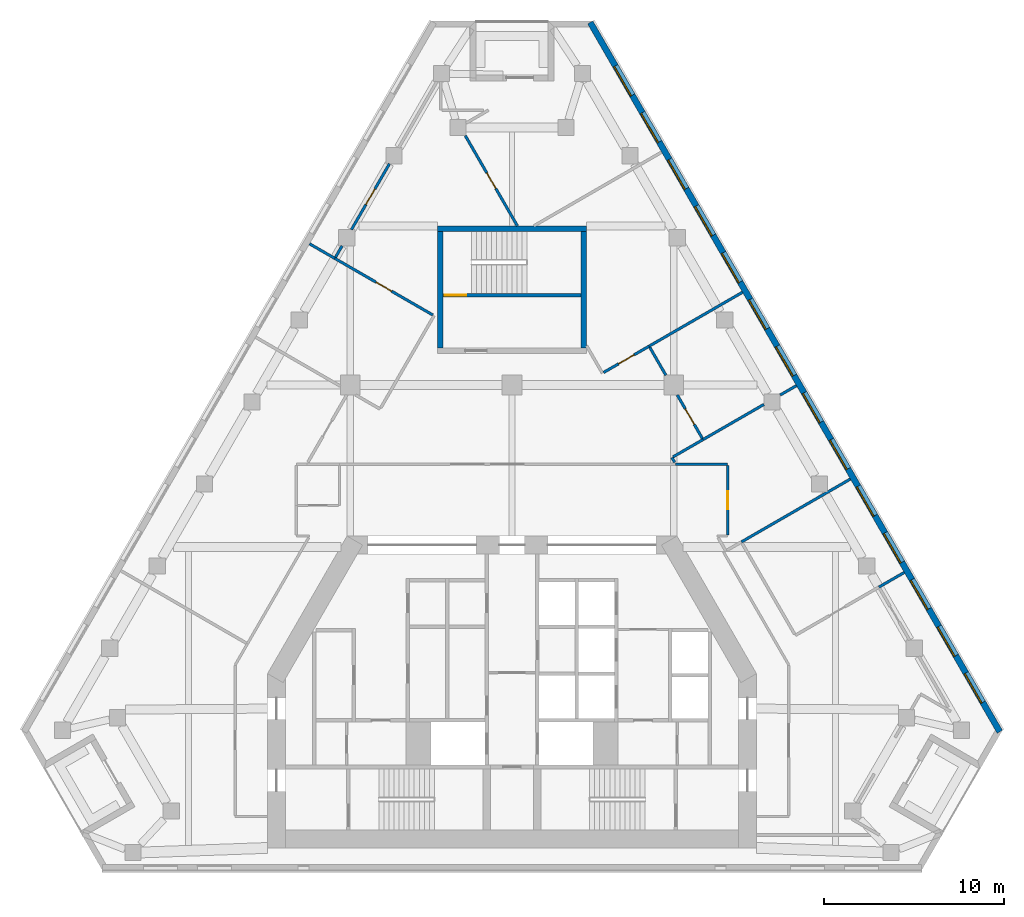
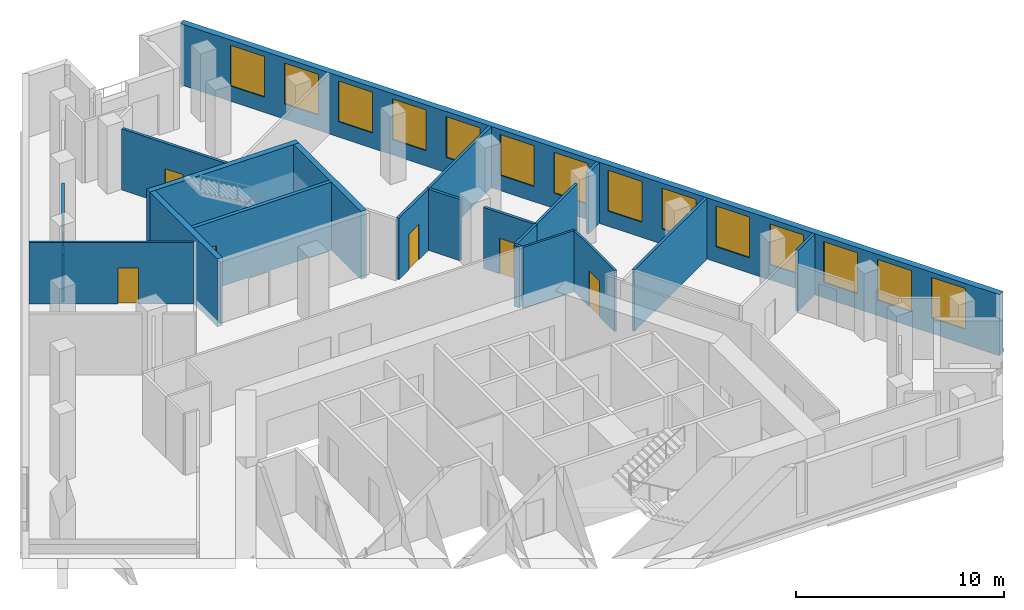
# One storey, part 7 of 9: 22 walls, 14 windows, 7 doors, 21 openings.
"""IFC4 building model written with IfcOpenShell, lengths in metres."""

import ifcopenshell
import ifcopenshell.guid

model = None  # the IFC model being written
_history = None  # IfcOwnerHistory: only IFC2X3 demands one
_inside = {}  # id of a spatial element -> (the spatial element, [elements in it])
_under = {}  # id of a project, library or spatial element -> (it, [spatial elements below it])
_declared = {}  # id of a project -> (the project, [libraries it declares])
_typed = {}  # id of a type object -> (the type object, [elements of that type])
_made_of = {}  # id of a material, layer set ... -> (it, [elements and type objects made of it])


def new_model(schema):
    """Start an empty IFC model of exactly this schema.

    Asked for "IFC4X3", IfcOpenShell would pick the latest addendum, in which some entities
    have other attributes; the version numbers below select the first issue.
    IFC2X3 requires an IfcOwnerHistory on every rooted entity: one is made here for all.
    """
    global model, _history
    if schema == "IFC4X3":
        model = ifcopenshell.file(schema_version=(4, 3, 0, 0))
    else:
        model = ifcopenshell.file(schema=schema)
    _inside.clear()
    _under.clear()
    _declared.clear()
    _typed.clear()
    _made_of.clear()
    _history = None
    if model.schema == "IFC2X3":
        org = make("IfcOrganization", Name="unknown")
        user = make(
            "IfcPersonAndOrganization",
            ThePerson=make("IfcPerson", FamilyName="unknown"),
            TheOrganization=org,
        )
        app = make(
            "IfcApplication",
            ApplicationDeveloper=org,
            Version="unknown",
            ApplicationFullName="unknown",
            ApplicationIdentifier="unknown",
        )
        _history = make(
            "IfcOwnerHistory",
            OwningUser=user,
            OwningApplication=app,
            ChangeAction="ADDED",
            CreationDate=0,
        )
    return model


def make(cls, **values):
    """One entity of the class cls with the attributes given. An attribute that is None is left unset."""
    return model.create_entity(
        cls, **{name: value for name, value in values.items() if value is not None}
    )


def rooted(cls, **values):
    """An entity with a GlobalId (a new one), such as an element, a storey or a relation."""
    return make(cls, GlobalId=ifcopenshell.guid.new(), OwnerHistory=_history, **values)


def si_unit(unit_type, name, prefix=None):
    """IfcSIUnit, for example si_unit("LENGTHUNIT", "METRE", prefix="MILLI")."""
    return make("IfcSIUnit", UnitType=unit_type, Prefix=prefix, Name=name)


def assignment(units):
    """IfcUnitAssignment: the units of a project."""
    return None if units is None else make("IfcUnitAssignment", Units=units)


def point(xyz):
    """IfcCartesianPoint."""
    return None if xyz is None else make("IfcCartesianPoint", Coordinates=xyz)


def direction(xyz):
    """IfcDirection."""
    return None if xyz is None else make("IfcDirection", DirectionRatios=xyz)


def frame(location, z_axis=None, x_axis=None):
    """IfcAxis2Placement3D, a coordinate frame: its origin and axes. An axis left out is left unset."""
    return make(
        "IfcAxis2Placement3D",
        Location=point(location),
        Axis=direction(z_axis),
        RefDirection=direction(x_axis),
    )


def frame_2d(location, x_axis=None):
    """IfcAxis2Placement2D, a coordinate frame in the plane: its origin and x axis."""
    return make(
        "IfcAxis2Placement2D", Location=point(location), RefDirection=direction(x_axis)
    )


def origin():
    """The frame at (0, 0, 0) with its axes left unset."""
    return frame((0.0, 0.0, 0.0))


def place(relative_to, where):
    """IfcLocalPlacement: puts the frame where relative to a parent placement (None: the world)."""
    return make(
        "IfcLocalPlacement", PlacementRelTo=relative_to, RelativePlacement=where
    )


def context(
    kind, dimensions, precision=None, world=None, true_north=None, identifier=None
):
    """IfcGeometricRepresentationContext, for example the 3D "Model" context."""
    return make(
        "IfcGeometricRepresentationContext",
        ContextIdentifier=identifier,
        ContextType=kind,
        CoordinateSpaceDimension=dimensions,
        Precision=precision,
        WorldCoordinateSystem=world,
        TrueNorth=true_north,
    )


def subcontext(parent, identifier, kind, view, scale=None):
    """IfcGeometricRepresentationSubContext, for example "Body" below "Model"."""
    return make(
        "IfcGeometricRepresentationSubContext",
        ContextIdentifier=identifier,
        ContextType=kind,
        ParentContext=parent,
        TargetScale=scale,
        TargetView=view,
    )


def project(units=None, contexts=None):
    """IfcProject with its units and contexts."""
    return rooted(
        "IfcProject",
        Name="project",
        RepresentationContexts=contexts,
        UnitsInContext=assignment(units),
    )


def spatial(cls, under=None, at=None, **own):
    """A site, building, storey or space (cls), placed at a placement, below another one or the project."""
    s = rooted(cls, ObjectPlacement=at, **own)
    if under is not None:
        _under.setdefault(under.id(), (under, []))[1].append(s)
    return s


def profile(cls, at=None, kind="AREA", **sizes):
    """A parametric profile (cls). Its sizes go by their IFC names, for example OverallWidth=200.0."""
    return make(cls, ProfileType=kind, Position=at, **sizes)


def rectangle(**sizes):
    """IfcRectangleProfileDef."""
    return profile("IfcRectangleProfileDef", **sizes)


def extrude(swept, where, along, depth):
    """IfcExtrudedAreaSolid: the profile swept, set in the frame where, extruded along a direction by depth."""
    return make(
        "IfcExtrudedAreaSolid",
        SweptArea=swept,
        Position=where,
        ExtrudedDirection=direction(along),
        Depth=depth,
    )


def shape(context_of_items, identifier, shape_type, items):
    """IfcShapeRepresentation: the items that make up one representation, for example the "Body"."""
    return make(
        "IfcShapeRepresentation",
        ContextOfItems=context_of_items,
        RepresentationIdentifier=identifier,
        RepresentationType=shape_type,
        Items=items,
    )


def material(Name=None, Category=None):
    """IfcMaterial."""
    return make("IfcMaterial", Name=Name, Category=Category)


def layer(
    of_material, thickness, ventilated=None, Name=None, Category=None, Priority=None
):
    """IfcMaterialLayer: one layer of a wall or slab, of a material (None: an air gap)."""
    return make(
        "IfcMaterialLayer",
        Material=of_material,
        LayerThickness=thickness,
        IsVentilated=ventilated,
        Name=Name,
        Category=Category,
        Priority=Priority,
    )


def layer_set(layers, Name=None):
    """IfcMaterialLayerSet."""
    return make("IfcMaterialLayerSet", MaterialLayers=layers, LayerSetName=Name)


def made_of(thing, what):
    """Note that an element or type object is made of a material, layer set ...; save() writes the relation."""
    if what is not None:
        _made_of.setdefault(what.id(), (what, []))[1].append(thing)
    return thing


def type_object(cls, material=None, **own):
    """A type object (cls), such as IfcWallType, which elements share."""
    return made_of(rooted(cls, **own), material)


def element(
    cls,
    number,
    at=None,
    inside=None,
    cuts=None,
    type_object=None,
    material=None,
    context=None,
    identifier="Body",
    shape_type=None,
    held_by="IfcProductDefinitionShape",
    body=None,
    shapes=None,
    **own,
):
    """One element of the class cls, such as IfcWall. Its Tag is "e" and its number.

    at: its placement. inside: the storey or other place that contains it. cuts: it is an
    opening in that element (IfcRelVoidsElement). A single representation is given by context,
    identifier, shape_type and body (its items); several are given by shapes. held_by: the class
    of the entity that holds the representations. save() writes the other relations.
    """
    e = rooted(cls, Tag="e%d" % number, ObjectPlacement=at, **own)
    if body is not None:
        shapes = [shape(context, identifier, shape_type, body)]
    if shapes is not None:
        e.Representation = make(held_by, Representations=shapes)
    if inside is not None:
        _inside.setdefault(inside.id(), (inside, []))[1].append(e)
    if cuts is not None:
        rooted(
            "IfcRelVoidsElement", RelatingBuildingElement=cuts, RelatedOpeningElement=e
        )
    if type_object is not None:
        _typed.setdefault(type_object.id(), (type_object, []))[1].append(e)
    return made_of(e, material)


def fill(opening, filler):
    """IfcRelFillsElement: the door or window that sits in an opening."""
    return rooted(
        "IfcRelFillsElement",
        RelatingOpeningElement=opening,
        RelatedBuildingElement=filler,
    )


def aggregate(whole, parts):
    """IfcRelAggregates: a whole, such as a stair, and the parts it consists of."""
    return rooted("IfcRelAggregates", RelatingObject=whole, RelatedObjects=parts)


def save(model, path):
    """Write the relations noted so far, then the file.

    IfcRelAggregates (storeys below a building ...), IfcRelContainedInSpatialStructure (elements
    in a storey), IfcRelDefinesByType, IfcRelAssociatesMaterial and IfcRelDeclares: one each for
    every whole, place, type object, material and project.
    """
    for whole, parts in _under.values():
        aggregate(whole, parts)
    for where, things in _inside.values():
        rooted(
            "IfcRelContainedInSpatialStructure",
            RelatedElements=things,
            RelatingStructure=where,
        )
    for kind, things in _typed.values():
        rooted("IfcRelDefinesByType", RelatedObjects=things, RelatingType=kind)
    for what, things in _made_of.values():
        rooted("IfcRelAssociatesMaterial", RelatedObjects=things, RelatingMaterial=what)
    for by, libraries in _declared.values():
        rooted("IfcRelDeclares", RelatingContext=by, RelatedDefinitions=libraries)
    model.write(path)


model = new_model("IFC4")

# Units and contexts
model_context = context("Model", 3, precision=1e-05, world=origin(), true_north=direction((0.0, 1.0)))
body_context = subcontext(model_context, "Body", "Model", "MODEL_VIEW")
ifc_project = project(units=[si_unit("LENGTHUNIT", "METRE"), si_unit("AREAUNIT", "SQUARE_METRE"), si_unit("VOLUMEUNIT", "CUBIC_METRE"), si_unit("PLANEANGLEUNIT", "RADIAN"), si_unit("MASSUNIT", "GRAM", prefix="KILO")], contexts=[model_context])

# Site, building, storey
site_placement = place(None, origin())
site = spatial("IfcSite", under=ifc_project, at=site_placement, CompositionType="ELEMENT")
building_placement = place(site_placement, origin())
building = spatial("IfcBuilding", under=site, at=building_placement, Name="Fogline Exchange Tower", CompositionType="ELEMENT")
storey_placement = place(building_placement, frame((0.0, 0.0, 210.10009765625)))
storey = spatial("IfcBuildingStorey", under=building, at=storey_placement, Name="L47", CompositionType="ELEMENT", Elevation=210.10009765625)

# Wall, opening, door
ifc_material_1 = material(Name="Concrete C40", Category="concrete")
ifc_layer_1 = layer(ifc_material_1, 0.199951171875)
ifc_layer_set_1 = layer_set([ifc_layer_1], Name="CW20R")
wall_type_1 = type_object("IfcWallType", Name="CW20R", PredefinedType="SOLIDWALL", material=ifc_layer_set_1)
wall_1_placement = place(storey_placement, frame((-3.85009765625, 32.007080078125, -0.400146484375), z_axis=(0.0, 0.0, 1.0), x_axis=(1.0, 0.0, 0.0)))
wall_1 = element("IfcWall", 1, at=wall_1_placement, inside=storey, type_object=wall_type_1, Name="Stair enclosure wall ST3", PredefinedType="SOLIDWALL", context=body_context, shape_type="SweptSolid", body=[
    extrude(rectangle(XDim=7.7001953125, YDim=0.199951171875, at=frame_2d((3.85009765625, 0.0))), origin(), (0.0, 0.0, 1.0), 4.0),
])
opening_1_placement = place(wall_1_placement, frame((0.10009765625, 0.0, 0.39990234375)))
opening_1 = element("IfcOpeningElement", 2, at=opening_1_placement, cuts=wall_1, Name="Opening T15-C024", PredefinedType="OPENING", context=body_context, shape_type="SweptSolid", body=[
    extrude(rectangle(XDim=1.199951171875, YDim=2.10009765625, at=frame_2d((0.60009765625, 1.050048828125))), frame((0.0, 0.10986328125, 0.0), z_axis=(0.0, -1.0, 0.0), x_axis=(1.0, 0.0, 0.0)), (0.0, 0.0, 1.0), 0.219970703125),
])
ifc_material_2 = material(Name="Steel and timber fire door", Category="steel")
door_type_1 = type_object("IfcDoorType", Name="D-ST1", OperationType="SINGLE_SWING_LEFT", PredefinedType="DOOR", material=ifc_material_2)
door_1_placement = place(opening_1_placement, origin())
door_1 = element("IfcDoor", 3, at=door_1_placement, inside=storey, type_object=door_type_1, Name="Stair door ST3", OperationType="SINGLE_SWING_LEFT", OverallHeight=2.10009765625, OverallWidth=1.199951171875, PredefinedType="DOOR", context=body_context, shape_type="SweptSolid", body=[
    extrude(rectangle(XDim=1.199951171875, YDim=2.10009765625, at=frame_2d((0.60009765625, 1.050048828125))), frame((0.0, 0.02490234375, 0.0), z_axis=(0.0, -1.0, 0.0), x_axis=(1.0, 0.0, 0.0)), (0.0, 0.0, 1.0), 0.050048828125),
])
fill(opening_1, door_1)

# Walls
ifc_layer_2 = layer(ifc_material_1, 0.300048828125)
ifc_layer_set_2 = layer_set([ifc_layer_2], Name="CW30")
wall_type_2 = type_object("IfcWallType", Name="CW30", PredefinedType="SOLIDWALL", material=ifc_layer_set_2)
wall_2_placement = place(storey_placement, frame((-4.14990234375, 35.70703125, -0.400146484375), z_axis=(0.0, 0.0, 1.0), x_axis=(1.0, 0.0, 0.0)))
element("IfcWall", 4, at=wall_2_placement, inside=storey, type_object=wall_type_2, Name="Stair enclosure wall ST3", PredefinedType="SOLIDWALL", context=body_context, shape_type="SweptSolid", body=[
    extrude(rectangle(XDim=8.2998046875, YDim=0.300048828125, at=frame_2d((4.14990234375, 0.0))), origin(), (0.0, 0.0, 1.0), 4.0),
])
for number, where, z_axis, x_axis, name in (
    (5, (-4.0, 29.056884765625, -0.400146484375), (0.0, 0.0, 1.0), (0.0, 1.0, 0.0), "Stair enclosure wall ST3"),
    (6, (4.0, 29.056884765625, -0.400146484375), (0.0, 0.0, 1.0), (0.0, 1.0, 0.0), "Stair enclosure wall ST3"),
):
    element("IfcWall", number, at=place(storey_placement, frame(where, z_axis=z_axis, x_axis=x_axis)), inside=storey, type_object=wall_type_2, Name=name, PredefinedType="SOLIDWALL", context=body_context, shape_type="SweptSolid", body=[
        extrude(rectangle(XDim=6.5, YDim=0.300048828125, at=frame_2d((3.25, 0.0))), origin(), (0.0, 0.0, 1.0), 4.0),
    ])

# Wall, openings, windows
ifc_material_3 = material(Name="Brick masonry", Category="masonry")
ifc_layer_3 = layer(ifc_material_3, 0.340087890625)
ifc_layer_set_3 = layer_set([ifc_layer_3], Name="FW1")
wall_type_3 = type_object("IfcWallType", Name="FW1", PredefinedType="SOLIDWALL", material=ifc_layer_set_3)
wall_3_placement = place(storey_placement, frame((27.139404296875, 7.709228515625, 0.0), z_axis=(0.0, 0.0, 1.0), x_axis=(-0.500000533701, 0.866025095652, 0.0)))
wall_3 = element("IfcWall", 7, at=wall_3_placement, inside=storey, type_object=wall_type_3, Name="Brick wall L47 E", PredefinedType="SOLIDWALL", context=body_context, shape_type="SweptSolid", body=[
    extrude(rectangle(XDim=45.5732421875, YDim=0.340087890625, at=frame_2d((22.78662109375, 0.0))), origin(), (0.0, 0.0, 1.0), 3.599853515625),
])
opening_2_placement = place(wall_3_placement, frame((1.893310546875, 0.0, 0.89990234375)))
opening_2 = element("IfcOpeningElement", 8, at=opening_2_placement, cuts=wall_3, Name="Opening W1", PredefinedType="OPENING", context=body_context, shape_type="SweptSolid", body=[
    extrude(rectangle(XDim=1.885009765625, YDim=2.39990234375, at=frame_2d((0.9423828125, 1.199951171875))), frame((0.0, 0.18017578125, 0.0), z_axis=(0.0, -1.0, 0.0), x_axis=(1.0, 0.0, 0.0)), (0.0, 0.0, 1.0), 0.360107421875),
])
opening_3_placement = place(wall_3_placement, frame((4.893310546875, 0.0, 0.89990234375)))
opening_3 = element("IfcOpeningElement", 9, at=opening_3_placement, cuts=wall_3, Name="Opening W1", PredefinedType="OPENING", context=body_context, shape_type="SweptSolid", body=[
    extrude(rectangle(XDim=1.885009765625, YDim=2.39990234375, at=frame_2d((0.9423828125, 1.199951171875))), frame((0.0, 0.18017578125, 0.0), z_axis=(0.0, -1.0, 0.0), x_axis=(1.0, 0.0, 0.0)), (0.0, 0.0, 1.0), 0.360107421875),
])
opening_4_placement = place(wall_3_placement, frame((7.893310546875, 0.0, 0.89990234375)))
opening_4 = element("IfcOpeningElement", 10, at=opening_4_placement, cuts=wall_3, Name="Opening W1", PredefinedType="OPENING", context=body_context, shape_type="SweptSolid", body=[
    extrude(rectangle(XDim=1.885009765625, YDim=2.39990234375, at=frame_2d((0.9423828125, 1.199951171875))), frame((0.0, 0.18017578125, 0.0), z_axis=(0.0, -1.0, 0.0), x_axis=(1.0, 0.0, 0.0)), (0.0, 0.0, 1.0), 0.360107421875),
])
opening_5_placement = place(wall_3_placement, frame((10.893310546875, 0.0, 0.89990234375)))
opening_5 = element("IfcOpeningElement", 11, at=opening_5_placement, cuts=wall_3, Name="Opening W1", PredefinedType="OPENING", context=body_context, shape_type="SweptSolid", body=[
    extrude(rectangle(XDim=1.885009765625, YDim=2.39990234375, at=frame_2d((0.9423828125, 1.199951171875))), frame((0.0, 0.18017578125, 0.0), z_axis=(0.0, -1.0, 0.0), x_axis=(1.0, 0.0, 0.0)), (0.0, 0.0, 1.0), 0.360107421875),
])
opening_6_placement = place(wall_3_placement, frame((13.893310546875, 0.0, 0.89990234375)))
opening_6 = element("IfcOpeningElement", 12, at=opening_6_placement, cuts=wall_3, Name="Opening W1", PredefinedType="OPENING", context=body_context, shape_type="SweptSolid", body=[
    extrude(rectangle(XDim=1.885009765625, YDim=2.39990234375, at=frame_2d((0.9423828125, 1.199951171875))), frame((0.0, 0.18017578125, 0.0), z_axis=(0.0, -1.0, 0.0), x_axis=(1.0, 0.0, 0.0)), (0.0, 0.0, 1.0), 0.360107421875),
])
opening_7_placement = place(wall_3_placement, frame((16.893310546875, 0.0, 0.89990234375)))
opening_7 = element("IfcOpeningElement", 13, at=opening_7_placement, cuts=wall_3, Name="Opening W1", PredefinedType="OPENING", context=body_context, shape_type="SweptSolid", body=[
    extrude(rectangle(XDim=1.885009765625, YDim=2.39990234375, at=frame_2d((0.9423828125, 1.199951171875))), frame((0.0, 0.18017578125, 0.0), z_axis=(0.0, -1.0, 0.0), x_axis=(1.0, 0.0, 0.0)), (0.0, 0.0, 1.0), 0.360107421875),
])
opening_8_placement = place(wall_3_placement, frame((19.893310546875, 0.0, 0.89990234375)))
opening_8 = element("IfcOpeningElement", 14, at=opening_8_placement, cuts=wall_3, Name="Opening W1", PredefinedType="OPENING", context=body_context, shape_type="SweptSolid", body=[
    extrude(rectangle(XDim=1.885009765625, YDim=2.39990234375, at=frame_2d((0.9423828125, 1.199951171875))), frame((0.0, 0.18017578125, 0.0), z_axis=(0.0, -1.0, 0.0), x_axis=(1.0, 0.0, 0.0)), (0.0, 0.0, 1.0), 0.360107421875),
])
opening_9_placement = place(wall_3_placement, frame((22.893310546875, 0.0, 0.89990234375)))
opening_9 = element("IfcOpeningElement", 15, at=opening_9_placement, cuts=wall_3, Name="Opening W1", PredefinedType="OPENING", context=body_context, shape_type="SweptSolid", body=[
    extrude(rectangle(XDim=1.885009765625, YDim=2.39990234375, at=frame_2d((0.9423828125, 1.199951171875))), frame((0.0, 0.18017578125, 0.0), z_axis=(0.0, -1.0, 0.0), x_axis=(1.0, 0.0, 0.0)), (0.0, 0.0, 1.0), 0.360107421875),
])
opening_10_placement = place(wall_3_placement, frame((25.893310546875, 0.0, 0.89990234375)))
opening_10 = element("IfcOpeningElement", 16, at=opening_10_placement, cuts=wall_3, Name="Opening W1", PredefinedType="OPENING", context=body_context, shape_type="SweptSolid", body=[
    extrude(rectangle(XDim=1.885009765625, YDim=2.39990234375, at=frame_2d((0.9423828125, 1.199951171875))), frame((0.0, 0.18017578125, 0.0), z_axis=(0.0, -1.0, 0.0), x_axis=(1.0, 0.0, 0.0)), (0.0, 0.0, 1.0), 0.360107421875),
])
opening_11_placement = place(wall_3_placement, frame((28.893310546875, 0.0, 0.89990234375)))
opening_11 = element("IfcOpeningElement", 17, at=opening_11_placement, cuts=wall_3, Name="Opening W1", PredefinedType="OPENING", context=body_context, shape_type="SweptSolid", body=[
    extrude(rectangle(XDim=1.885009765625, YDim=2.39990234375, at=frame_2d((0.9423828125, 1.199951171875))), frame((0.0, 0.18017578125, 0.0), z_axis=(0.0, -1.0, 0.0), x_axis=(1.0, 0.0, 0.0)), (0.0, 0.0, 1.0), 0.360107421875),
])
opening_12_placement = place(wall_3_placement, frame((31.893310546875, 0.0, 0.89990234375)))
opening_12 = element("IfcOpeningElement", 18, at=opening_12_placement, cuts=wall_3, Name="Opening W1", PredefinedType="OPENING", context=body_context, shape_type="SweptSolid", body=[
    extrude(rectangle(XDim=1.885009765625, YDim=2.39990234375, at=frame_2d((0.9423828125, 1.199951171875))), frame((0.0, 0.18017578125, 0.0), z_axis=(0.0, -1.0, 0.0), x_axis=(1.0, 0.0, 0.0)), (0.0, 0.0, 1.0), 0.360107421875),
])
opening_13_placement = place(wall_3_placement, frame((34.893310546875, 0.0, 0.89990234375)))
opening_13 = element("IfcOpeningElement", 19, at=opening_13_placement, cuts=wall_3, Name="Opening W1", PredefinedType="OPENING", context=body_context, shape_type="SweptSolid", body=[
    extrude(rectangle(XDim=1.885009765625, YDim=2.39990234375, at=frame_2d((0.9423828125, 1.199951171875))), frame((0.0, 0.18017578125, 0.0), z_axis=(0.0, -1.0, 0.0), x_axis=(1.0, 0.0, 0.0)), (0.0, 0.0, 1.0), 0.360107421875),
])
opening_14_placement = place(wall_3_placement, frame((37.893310546875, 0.0, 0.89990234375)))
opening_14 = element("IfcOpeningElement", 20, at=opening_14_placement, cuts=wall_3, Name="Opening W1", PredefinedType="OPENING", context=body_context, shape_type="SweptSolid", body=[
    extrude(rectangle(XDim=1.885009765625, YDim=2.39990234375, at=frame_2d((0.9423828125, 1.199951171875))), frame((0.0, 0.18017578125, 0.0), z_axis=(0.0, -1.0, 0.0), x_axis=(1.0, 0.0, 0.0)), (0.0, 0.0, 1.0), 0.360107421875),
])
opening_15_placement = place(wall_3_placement, frame((40.893310546875, 0.0, 0.89990234375)))
opening_15 = element("IfcOpeningElement", 21, at=opening_15_placement, cuts=wall_3, Name="Opening W1", PredefinedType="OPENING", context=body_context, shape_type="SweptSolid", body=[
    extrude(rectangle(XDim=1.885009765625, YDim=2.39990234375, at=frame_2d((0.9423828125, 1.199951171875))), frame((0.0, 0.18017578125, 0.0), z_axis=(0.0, -1.0, 0.0), x_axis=(1.0, 0.0, 0.0)), (0.0, 0.0, 1.0), 0.360107421875),
])
ifc_material_4 = material(Name="Aluminium and glass", Category="aluminium")
window_type = type_object("IfcWindowType", Name="W1", PartitioningType="SINGLE_PANEL", PredefinedType="WINDOW", material=ifc_material_4)
window_1_placement = place(opening_2_placement, origin())
window_1 = element("IfcWindow", 22, at=window_1_placement, inside=storey, type_object=window_type, Name="W1 W1", OverallHeight=2.39990234375, OverallWidth=1.885009765625, PartitioningType="SINGLE_PANEL", PredefinedType="WINDOW", context=body_context, shape_type="SweptSolid", body=[
    extrude(rectangle(XDim=1.885009765625, YDim=2.39990234375, at=frame_2d((0.9423828125, 1.199951171875))), frame((0.0, 0.110107421875, 0.0), z_axis=(0.0, -1.0, 0.0), x_axis=(1.0, 0.0, 0.0)), (0.0, 0.0, 1.0), 0.06005859375),
])
fill(opening_2, window_1)
window_2_placement = place(opening_3_placement, origin())
window_2 = element("IfcWindow", 23, at=window_2_placement, inside=storey, type_object=window_type, Name="W1 W1", OverallHeight=2.39990234375, OverallWidth=1.885009765625, PartitioningType="SINGLE_PANEL", PredefinedType="WINDOW", context=body_context, shape_type="SweptSolid", body=[
    extrude(rectangle(XDim=1.885009765625, YDim=2.39990234375, at=frame_2d((0.9423828125, 1.199951171875))), frame((0.0, 0.110107421875, 0.0), z_axis=(0.0, -1.0, 0.0), x_axis=(1.0, 0.0, 0.0)), (0.0, 0.0, 1.0), 0.06005859375),
])
fill(opening_3, window_2)
window_3_placement = place(opening_4_placement, origin())
window_3 = element("IfcWindow", 24, at=window_3_placement, inside=storey, type_object=window_type, Name="W1 W1", OverallHeight=2.39990234375, OverallWidth=1.885009765625, PartitioningType="SINGLE_PANEL", PredefinedType="WINDOW", context=body_context, shape_type="SweptSolid", body=[
    extrude(rectangle(XDim=1.885009765625, YDim=2.39990234375, at=frame_2d((0.9423828125, 1.199951171875))), frame((0.0, 0.110107421875, 0.0), z_axis=(0.0, -1.0, 0.0), x_axis=(1.0, 0.0, 0.0)), (0.0, 0.0, 1.0), 0.06005859375),
])
fill(opening_4, window_3)
window_4_placement = place(opening_5_placement, origin())
window_4 = element("IfcWindow", 25, at=window_4_placement, inside=storey, type_object=window_type, Name="W1 W1", OverallHeight=2.39990234375, OverallWidth=1.885009765625, PartitioningType="SINGLE_PANEL", PredefinedType="WINDOW", context=body_context, shape_type="SweptSolid", body=[
    extrude(rectangle(XDim=1.885009765625, YDim=2.39990234375, at=frame_2d((0.9423828125, 1.199951171875))), frame((0.0, 0.110107421875, 0.0), z_axis=(0.0, -1.0, 0.0), x_axis=(1.0, 0.0, 0.0)), (0.0, 0.0, 1.0), 0.06005859375),
])
fill(opening_5, window_4)
window_5_placement = place(opening_6_placement, origin())
window_5 = element("IfcWindow", 26, at=window_5_placement, inside=storey, type_object=window_type, Name="W1 W1", OverallHeight=2.39990234375, OverallWidth=1.885009765625, PartitioningType="SINGLE_PANEL", PredefinedType="WINDOW", context=body_context, shape_type="SweptSolid", body=[
    extrude(rectangle(XDim=1.885009765625, YDim=2.39990234375, at=frame_2d((0.9423828125, 1.199951171875))), frame((0.0, 0.110107421875, 0.0), z_axis=(0.0, -1.0, 0.0), x_axis=(1.0, 0.0, 0.0)), (0.0, 0.0, 1.0), 0.06005859375),
])
fill(opening_6, window_5)
window_6_placement = place(opening_7_placement, origin())
window_6 = element("IfcWindow", 27, at=window_6_placement, inside=storey, type_object=window_type, Name="W1 W1", OverallHeight=2.39990234375, OverallWidth=1.885009765625, PartitioningType="SINGLE_PANEL", PredefinedType="WINDOW", context=body_context, shape_type="SweptSolid", body=[
    extrude(rectangle(XDim=1.885009765625, YDim=2.39990234375, at=frame_2d((0.9423828125, 1.199951171875))), frame((0.0, 0.110107421875, 0.0), z_axis=(0.0, -1.0, 0.0), x_axis=(1.0, 0.0, 0.0)), (0.0, 0.0, 1.0), 0.06005859375),
])
fill(opening_7, window_6)
window_7_placement = place(opening_8_placement, origin())
window_7 = element("IfcWindow", 28, at=window_7_placement, inside=storey, type_object=window_type, Name="W1 W1", OverallHeight=2.39990234375, OverallWidth=1.885009765625, PartitioningType="SINGLE_PANEL", PredefinedType="WINDOW", context=body_context, shape_type="SweptSolid", body=[
    extrude(rectangle(XDim=1.885009765625, YDim=2.39990234375, at=frame_2d((0.9423828125, 1.199951171875))), frame((0.0, 0.110107421875, 0.0), z_axis=(0.0, -1.0, 0.0), x_axis=(1.0, 0.0, 0.0)), (0.0, 0.0, 1.0), 0.06005859375),
])
fill(opening_8, window_7)
window_8_placement = place(opening_9_placement, origin())
window_8 = element("IfcWindow", 29, at=window_8_placement, inside=storey, type_object=window_type, Name="W1 W1", OverallHeight=2.39990234375, OverallWidth=1.885009765625, PartitioningType="SINGLE_PANEL", PredefinedType="WINDOW", context=body_context, shape_type="SweptSolid", body=[
    extrude(rectangle(XDim=1.885009765625, YDim=2.39990234375, at=frame_2d((0.9423828125, 1.199951171875))), frame((0.0, 0.110107421875, 0.0), z_axis=(0.0, -1.0, 0.0), x_axis=(1.0, 0.0, 0.0)), (0.0, 0.0, 1.0), 0.06005859375),
])
fill(opening_9, window_8)
window_9_placement = place(opening_10_placement, origin())
window_9 = element("IfcWindow", 30, at=window_9_placement, inside=storey, type_object=window_type, Name="W1 W1", OverallHeight=2.39990234375, OverallWidth=1.885009765625, PartitioningType="SINGLE_PANEL", PredefinedType="WINDOW", context=body_context, shape_type="SweptSolid", body=[
    extrude(rectangle(XDim=1.885009765625, YDim=2.39990234375, at=frame_2d((0.9423828125, 1.199951171875))), frame((0.0, 0.110107421875, 0.0), z_axis=(0.0, -1.0, 0.0), x_axis=(1.0, 0.0, 0.0)), (0.0, 0.0, 1.0), 0.06005859375),
])
fill(opening_10, window_9)
window_10_placement = place(opening_11_placement, origin())
window_10 = element("IfcWindow", 31, at=window_10_placement, inside=storey, type_object=window_type, Name="W1 W1", OverallHeight=2.39990234375, OverallWidth=1.885009765625, PartitioningType="SINGLE_PANEL", PredefinedType="WINDOW", context=body_context, shape_type="SweptSolid", body=[
    extrude(rectangle(XDim=1.885009765625, YDim=2.39990234375, at=frame_2d((0.9423828125, 1.199951171875))), frame((0.0, 0.110107421875, 0.0), z_axis=(0.0, -1.0, 0.0), x_axis=(1.0, 0.0, 0.0)), (0.0, 0.0, 1.0), 0.06005859375),
])
fill(opening_11, window_10)
window_11_placement = place(opening_12_placement, origin())
window_11 = element("IfcWindow", 32, at=window_11_placement, inside=storey, type_object=window_type, Name="W1 W1", OverallHeight=2.39990234375, OverallWidth=1.885009765625, PartitioningType="SINGLE_PANEL", PredefinedType="WINDOW", context=body_context, shape_type="SweptSolid", body=[
    extrude(rectangle(XDim=1.885009765625, YDim=2.39990234375, at=frame_2d((0.9423828125, 1.199951171875))), frame((0.0, 0.110107421875, 0.0), z_axis=(0.0, -1.0, 0.0), x_axis=(1.0, 0.0, 0.0)), (0.0, 0.0, 1.0), 0.06005859375),
])
fill(opening_12, window_11)
window_12_placement = place(opening_13_placement, origin())
window_12 = element("IfcWindow", 33, at=window_12_placement, inside=storey, type_object=window_type, Name="W1 W1", OverallHeight=2.39990234375, OverallWidth=1.885009765625, PartitioningType="SINGLE_PANEL", PredefinedType="WINDOW", context=body_context, shape_type="SweptSolid", body=[
    extrude(rectangle(XDim=1.885009765625, YDim=2.39990234375, at=frame_2d((0.9423828125, 1.199951171875))), frame((0.0, 0.110107421875, 0.0), z_axis=(0.0, -1.0, 0.0), x_axis=(1.0, 0.0, 0.0)), (0.0, 0.0, 1.0), 0.06005859375),
])
fill(opening_13, window_12)
window_13_placement = place(opening_14_placement, origin())
window_13 = element("IfcWindow", 34, at=window_13_placement, inside=storey, type_object=window_type, Name="W1 W1", OverallHeight=2.39990234375, OverallWidth=1.885009765625, PartitioningType="SINGLE_PANEL", PredefinedType="WINDOW", context=body_context, shape_type="SweptSolid", body=[
    extrude(rectangle(XDim=1.885009765625, YDim=2.39990234375, at=frame_2d((0.9423828125, 1.199951171875))), frame((0.0, 0.110107421875, 0.0), z_axis=(0.0, -1.0, 0.0), x_axis=(1.0, 0.0, 0.0)), (0.0, 0.0, 1.0), 0.06005859375),
])
fill(opening_14, window_13)
window_14_placement = place(opening_15_placement, origin())
window_14 = element("IfcWindow", 35, at=window_14_placement, inside=storey, type_object=window_type, Name="W1 W1", OverallHeight=2.39990234375, OverallWidth=1.885009765625, PartitioningType="SINGLE_PANEL", PredefinedType="WINDOW", context=body_context, shape_type="SweptSolid", body=[
    extrude(rectangle(XDim=1.885009765625, YDim=2.39990234375, at=frame_2d((0.9423828125, 1.199951171875))), frame((0.0, 0.110107421875, 0.0), z_axis=(0.0, -1.0, 0.0), x_axis=(1.0, 0.0, 0.0)), (0.0, 0.0, 1.0), 0.06005859375),
])
fill(opening_15, window_14)

# Wall
ifc_material_5 = material(Name="Plasterboard corridor partition with mineral wool, 2 layers each side")
ifc_layer_4 = layer(ifc_material_5, 0.125)
ifc_layer_set_4 = layer_set([ifc_layer_4], Name="PW2")
wall_type_4 = type_object("IfcWallType", Name="PW2", PredefinedType="PARTITIONING", material=ifc_layer_set_4)
wall_4_placement = place(storey_placement, frame((9.108154296875, 22.60009765625, 0.0), z_axis=(0.0, 0.0, 1.0), x_axis=(1.0, 0.0, 0.0)))
element("IfcWall", 36, at=wall_4_placement, inside=storey, type_object=wall_type_4, Name="wall-L47-W004", PredefinedType="PARTITIONING", context=body_context, shape_type="SweptSolid", body=[
    extrude(rectangle(XDim=2.891845703125, YDim=0.125, at=frame_2d((1.44580078125, 0.0))), origin(), (0.0, 0.0, 1.0), 3.599853515625),
])

# Wall, opening, door
wall_5_placement = place(storey_placement, frame((12.0, 22.53759765625, 0.0), z_axis=(0.0, 0.0, 1.0), x_axis=(0.0, -1.0, 0.0)))
wall_5 = element("IfcWall", 37, at=wall_5_placement, inside=storey, type_object=wall_type_4, Name="wall-L47-W005", PredefinedType="PARTITIONING", context=body_context, shape_type="SweptSolid", body=[
    extrude(rectangle(XDim=3.875, YDim=0.125, at=frame_2d((1.9375, 0.0))), origin(), (0.0, 0.0, 1.0), 3.599853515625),
])
opening_16_placement = place(wall_5_placement, frame((1.4375, 0.0, 0.0)))
opening_16 = element("IfcOpeningElement", 38, at=opening_16_placement, cuts=wall_5, Name="Opening T15-D002", PredefinedType="OPENING", context=body_context, shape_type="SweptSolid", body=[
    extrude(rectangle(XDim=1.0, YDim=2.10009765625, at=frame_2d((0.5, 1.050048828125))), frame((0.0, 0.072509765625, 0.0), z_axis=(0.0, -1.0, 0.0), x_axis=(1.0, 0.0, 0.0)), (0.0, 0.0, 1.0), 0.14501953125),
])
ifc_material_6 = material(Name="Fire-rated timber door leaf with steel frame", Category="steel")
door_type_2 = type_object("IfcDoorType", Name="D3", OperationType="SINGLE_SWING_LEFT", PredefinedType="DOOR", material=ifc_material_6)
door_2_placement = place(opening_16_placement, origin())
door_2 = element("IfcDoor", 39, at=door_2_placement, inside=storey, type_object=door_type_2, Name="door-L47-D002", OperationType="SINGLE_SWING_LEFT", OverallHeight=2.10009765625, OverallWidth=1.0, PredefinedType="DOOR", context=body_context, shape_type="SweptSolid", body=[
    extrude(rectangle(XDim=1.0, YDim=2.10009765625, at=frame_2d((0.5, 1.050048828125))), frame((0.0, 0.02490234375, 0.0), z_axis=(0.0, -1.0, 0.0), x_axis=(1.0, 0.0, 0.0)), (0.0, 0.0, 1.0), 0.050048828125),
])
fill(opening_16, door_2)

# Walls
ifc_material_7 = material(Name="Plasterboard demising partition with mineral wool and acoustic board")
ifc_layer_5 = layer(ifc_material_7, 0.14990234375)
ifc_layer_set_5 = layer_set([ifc_layer_5], Name="PW3")
wall_type_5 = type_object("IfcWallType", Name="PW3", PredefinedType="PARTITIONING", material=ifc_layer_set_5)
wall_6_placement = place(storey_placement, frame((10.6279296875, 23.967529296875, 0.0), z_axis=(0.0, 0.0, 1.0), x_axis=(0.866020486807, 0.500008516358, 0.0)))
element("IfcWall", 40, at=wall_6_placement, inside=storey, type_object=wall_type_5, Name="wall-L47-W016", PredefinedType="PARTITIONING", context=body_context, shape_type="SweptSolid", body=[
    extrude(rectangle(XDim=3.91552734375, YDim=0.14990234375, at=frame_2d((1.957763671875, 0.0))), origin(), (0.0, 0.0, 1.0), 3.599853515625),
])
wall_7_placement = place(storey_placement, frame((14.918701171875, 26.44482421875, 0.0), z_axis=(0.0, 0.0, 1.0), x_axis=(0.866065051207, 0.49993132236, 0.0)))
element("IfcWall", 41, at=wall_7_placement, inside=storey, type_object=wall_type_5, Name="wall-L47-W017", PredefinedType="PARTITIONING", context=body_context, shape_type="SweptSolid", body=[
    extrude(rectangle(XDim=1.045654296875, YDim=0.14990234375, at=frame_2d((0.52294921875, 0.0))), origin(), (0.0, 0.0, 1.0), 3.599853515625),
])
wall_8_placement = place(storey_placement, frame((9.05029296875, 22.700439453125, 0.0), z_axis=(0.0, 0.0, 1.0), x_axis=(-0.500224850148, 0.865895547566, 0.0)))
element("IfcWall", 42, at=wall_8_placement, inside=storey, type_object=wall_type_5, Name="wall-L47-W018", PredefinedType="PARTITIONING", context=body_context, shape_type="SweptSolid", body=[
    extrude(rectangle(XDim=0.308349609375, YDim=0.14990234375, at=frame_2d((0.154296875, 0.0))), origin(), (0.0, 0.0, 1.0), 3.599853515625),
])
wall_9_placement = place(storey_placement, frame((8.9609375, 23.005126953125, 0.0), z_axis=(0.0, 0.0, 1.0), x_axis=(0.866033512162, 0.499985955615, 0.0)))
element("IfcWall", 43, at=wall_9_placement, inside=storey, type_object=wall_type_5, Name="wall-L47-W019", PredefinedType="PARTITIONING", context=body_context, shape_type="SweptSolid", body=[
    extrude(rectangle(XDim=1.9248046875, YDim=0.14990234375, at=frame_2d((0.96240234375, 0.0))), origin(), (0.0, 0.0, 1.0), 3.599853515625),
])
wall_10_placement = place(storey_placement, frame((18.82421875, 21.771484375, 0.0), z_axis=(0.0, 0.0, 1.0), x_axis=(-0.866028190633, -0.499995173006, 0.0)))
element("IfcWall", 44, at=wall_10_placement, inside=storey, type_object=wall_type_5, Name="wall-L47-W022", PredefinedType="PARTITIONING", context=body_context, shape_type="SweptSolid", body=[
    extrude(rectangle(XDim=7.0, YDim=0.14990234375, at=frame_2d((3.5, 0.0))), origin(), (0.0, 0.0, 1.0), 3.599853515625),
])
wall_11_placement = place(storey_placement, frame((7.6279296875, 29.163818359375, 0.0), z_axis=(0.0, 0.0, 1.0), x_axis=(0.866031096941, 0.499990139034, 0.0)))
element("IfcWall", 45, at=wall_11_placement, inside=storey, type_object=wall_type_5, Name="wall-L47-W023", PredefinedType="PARTITIONING", context=body_context, shape_type="SweptSolid", body=[
    extrude(rectangle(XDim=6.0, YDim=0.14990234375, at=frame_2d((3.0, 0.0))), origin(), (0.0, 0.0, 1.0), 3.599853515625),
])

# Wall, opening, door
wall_12_placement = place(storey_placement, frame((10.590576171875, 24.03271484375, 0.0), z_axis=(0.0, 0.0, 1.0), x_axis=(-0.500042966044, 0.866000595906, 0.0)))
wall_12 = element("IfcWall", 46, at=wall_12_placement, inside=storey, type_object=wall_type_5, Name="wall-L47-W024", PredefinedType="PARTITIONING", context=body_context, shape_type="SweptSolid", body=[
    extrude(rectangle(XDim=2.791259765625, YDim=0.14990234375, at=frame_2d((1.3955078125, 0.0))), origin(), (0.0, 0.0, 1.0), 3.599853515625),
])
opening_17_placement = place(wall_12_placement, frame((0.895751953125, 0.0, 0.0)))
opening_17 = element("IfcOpeningElement", 47, at=opening_17_placement, cuts=wall_12, Name="Opening T15-D007", PredefinedType="OPENING", context=body_context, shape_type="SweptSolid", body=[
    extrude(rectangle(XDim=1.0, YDim=2.10009765625, at=frame_2d((0.5, 1.050048828125))), frame((0.0, 0.0849609375, 0.0), z_axis=(0.0, -1.0, 0.0), x_axis=(1.0, 0.0, 0.0)), (0.0, 0.0, 1.0), 0.169921875),
])
door_3_placement = place(opening_17_placement, frame((1.0, 0.0, 0.0), z_axis=(0.0, 0.0, 1.0), x_axis=(-1.0, 0.0, 0.0)))
door_3 = element("IfcDoor", 48, at=door_3_placement, inside=storey, type_object=door_type_2, Name="door-L47-D007", OperationType="SINGLE_SWING_RIGHT", OverallHeight=2.10009765625, OverallWidth=1.0, PredefinedType="DOOR", context=body_context, shape_type="SweptSolid", body=[
    extrude(rectangle(XDim=1.0, YDim=2.10009765625, at=frame_2d((0.5, 1.050048828125))), frame((0.0, 0.02490234375, 0.0), z_axis=(0.0, -1.0, 0.0), x_axis=(1.0, 0.0, 0.0)), (0.0, 0.0, 1.0), 0.050048828125),
])
fill(opening_17, door_3)

# Wall
wall_13_placement = place(storey_placement, frame((8.559814453125, 27.550048828125, 0.0), z_axis=(0.0, 0.0, 1.0), x_axis=(-0.500088797182, 0.865974130637, 0.0)))
element("IfcWall", 49, at=wall_13_placement, inside=storey, type_object=wall_type_5, Name="wall-L47-W025", PredefinedType="PARTITIONING", context=body_context, shape_type="SweptSolid", body=[
    extrude(rectangle(XDim=1.788330078125, YDim=0.14990234375, at=frame_2d((0.89404296875, 0.0))), origin(), (0.0, 0.0, 1.0), 3.599853515625),
])

# Wall, opening, door
wall_14_placement = place(storey_placement, frame((7.6279296875, 29.163818359375, 0.0), z_axis=(0.0, 0.0, 1.0), x_axis=(-0.865989585315, -0.500062034277, 0.0)))
wall_14 = element("IfcWall", 50, at=wall_14_placement, inside=storey, type_object=wall_type_5, Name="wall-L47-W027", PredefinedType="PARTITIONING", context=body_context, shape_type="SweptSolid", body=[
    extrude(rectangle(XDim=2.925048828125, YDim=0.14990234375, at=frame_2d((1.46240234375, 0.0))), origin(), (0.0, 0.0, 1.0), 3.599853515625),
])
opening_18_placement = place(wall_14_placement, frame((0.96240234375, 0.0, 0.0)))
opening_18 = element("IfcOpeningElement", 51, at=opening_18_placement, cuts=wall_14, Name="Opening T15-D008", PredefinedType="OPENING", context=body_context, shape_type="SweptSolid", body=[
    extrude(rectangle(XDim=1.0, YDim=2.10009765625, at=frame_2d((0.5, 1.050048828125))), frame((0.0, 0.0849609375, 0.0), z_axis=(0.0, -1.0, 0.0), x_axis=(1.0, 0.0, 0.0)), (0.0, 0.0, 1.0), 0.169921875),
])
door_4_placement = place(opening_18_placement, frame((1.0, 0.0, 0.0), z_axis=(0.0, 0.0, 1.0), x_axis=(-1.0, 0.0, 0.0)))
door_4 = element("IfcDoor", 52, at=door_4_placement, inside=storey, type_object=door_type_2, Name="door-L47-D008", OperationType="SINGLE_SWING_RIGHT", OverallHeight=2.10009765625, OverallWidth=1.0, PredefinedType="DOOR", context=body_context, shape_type="SweptSolid", body=[
    extrude(rectangle(XDim=1.0, YDim=2.10009765625, at=frame_2d((0.5, 1.050048828125))), frame((0.0, 0.02490234375, 0.0), z_axis=(0.0, -1.0, 0.0), x_axis=(1.0, 0.0, 0.0)), (0.0, 0.0, 1.0), 0.050048828125),
])
fill(opening_18, door_4)

wall_15_placement = place(storey_placement, frame((0.299560546875, 35.85693359375, 0.0), z_axis=(0.0, 0.0, 1.0), x_axis=(-0.499971603551, 0.866041797861, 0.0)))
wall_15 = element("IfcWall", 53, at=wall_15_placement, inside=storey, type_object=wall_type_5, Name="wall-L47-W029", PredefinedType="PARTITIONING", context=body_context, shape_type="SweptSolid", body=[
    extrude(rectangle(XDim=5.796142578125, YDim=0.14990234375, at=frame_2d((2.89794921875, 0.0))), origin(), (0.0, 0.0, 1.0), 3.599853515625),
])
opening_19_placement = place(wall_15_placement, frame((2.398193359375, 0.0, 0.0)))
opening_19 = element("IfcOpeningElement", 54, at=opening_19_placement, cuts=wall_15, Name="Opening T15-D009", PredefinedType="OPENING", context=body_context, shape_type="SweptSolid", body=[
    extrude(rectangle(XDim=1.0, YDim=2.10009765625, at=frame_2d((0.5, 1.050048828125))), frame((0.0, 0.0849609375, 0.0), z_axis=(0.0, -1.0, 0.0), x_axis=(1.0, 0.0, 0.0)), (0.0, 0.0, 1.0), 0.169921875),
])
door_5_placement = place(opening_19_placement, frame((1.0, 0.0, 0.0), z_axis=(0.0, 0.0, 1.0), x_axis=(-1.0, 0.0, 0.0)))
door_5 = element("IfcDoor", 55, at=door_5_placement, inside=storey, type_object=door_type_2, Name="door-L47-D009", OperationType="SINGLE_SWING_RIGHT", OverallHeight=2.10009765625, OverallWidth=1.0, PredefinedType="DOOR", context=body_context, shape_type="SweptSolid", body=[
    extrude(rectangle(XDim=1.0, YDim=2.10009765625, at=frame_2d((0.5, 1.050048828125))), frame((0.0, 0.02490234375, 0.0), z_axis=(0.0, -1.0, 0.0), x_axis=(1.0, 0.0, 0.0)), (0.0, 0.0, 1.0), 0.050048828125),
])
fill(opening_19, door_5)

# Wall
wall_16_placement = place(storey_placement, frame((-9.819580078125, 34.112548828125, 0.0), z_axis=(0.0, 0.0, 1.0), x_axis=(0.500031897912, 0.866006986733, 0.0)))
element("IfcWall", 56, at=wall_16_placement, inside=storey, type_object=wall_type_5, Name="wall-L47-W031", PredefinedType="PARTITIONING", context=body_context, shape_type="SweptSolid", body=[
    extrude(rectangle(XDim=0.728515625, YDim=0.14990234375, at=frame_2d((0.3642578125, 0.0))), origin(), (0.0, 0.0, 1.0), 2.7998046875),
])

# Wall, opening, door
wall_17_placement = place(storey_placement, frame((-8.935791015625, 35.6435546875, 0.0), z_axis=(0.0, 0.0, 1.0), x_axis=(0.500015295222, 0.866016572904, 0.0)))
wall_17 = element("IfcWall", 57, at=wall_17_placement, inside=storey, type_object=wall_type_5, Name="wall-L47-W032", PredefinedType="PARTITIONING", context=body_context, shape_type="SweptSolid", body=[
    extrude(rectangle(XDim=4.233642578125, YDim=0.14990234375, at=frame_2d((2.11669921875, 0.0))), origin(), (0.0, 0.0, 1.0), 2.7998046875),
])
opening_20_placement = place(wall_17_placement, frame((1.616943359375, 0.0, 0.0)))
opening_20 = element("IfcOpeningElement", 58, at=opening_20_placement, cuts=wall_17, Name="Opening T15-D010", PredefinedType="OPENING", context=body_context, shape_type="SweptSolid", body=[
    extrude(rectangle(XDim=1.0, YDim=2.10009765625, at=frame_2d((0.5, 1.050048828125))), frame((0.0, 0.0849609375, 0.0), z_axis=(0.0, -1.0, 0.0), x_axis=(1.0, 0.0, 0.0)), (0.0, 0.0, 1.0), 0.169921875),
])
door_6_placement = place(opening_20_placement, origin())
door_6 = element("IfcDoor", 59, at=door_6_placement, inside=storey, type_object=door_type_2, Name="door-L47-D010", OperationType="SINGLE_SWING_LEFT", OverallHeight=2.10009765625, OverallWidth=1.0, PredefinedType="DOOR", context=body_context, shape_type="SweptSolid", body=[
    extrude(rectangle(XDim=1.0, YDim=2.10009765625, at=frame_2d((0.5, 1.050048828125))), frame((0.0, 0.02490234375, 0.0), z_axis=(0.0, -1.0, 0.0), x_axis=(1.0, 0.0, 0.0)), (0.0, 0.0, 1.0), 0.050048828125),
])
fill(opening_20, door_6)

wall_18_placement = place(storey_placement, frame((-4.403564453125, 30.89892578125, 0.0), z_axis=(0.0, 0.0, 1.0), x_axis=(-0.866022890907, 0.500004352405, 0.0)))
wall_18 = element("IfcWall", 60, at=wall_18_placement, inside=storey, type_object=wall_type_5, Name="wall-L47-W038", PredefinedType="PARTITIONING", context=body_context, shape_type="SweptSolid", body=[
    extrude(rectangle(XDim=6.29736328125, YDim=0.14990234375, at=frame_2d((3.148681640625, 0.0))), origin(), (0.0, 0.0, 1.0), 3.599853515625),
])
opening_21_placement = place(wall_18_placement, frame((2.648681640625, 0.0, 0.0)))
opening_21 = element("IfcOpeningElement", 61, at=opening_21_placement, cuts=wall_18, Name="Opening T15-D011", PredefinedType="OPENING", context=body_context, shape_type="SweptSolid", body=[
    extrude(rectangle(XDim=1.0, YDim=2.10009765625, at=frame_2d((0.5, 1.050048828125))), frame((0.0, 0.0849609375, 0.0), z_axis=(0.0, -1.0, 0.0), x_axis=(1.0, 0.0, 0.0)), (0.0, 0.0, 1.0), 0.169921875),
])
door_7_placement = place(opening_21_placement, origin())
door_7 = element("IfcDoor", 62, at=door_7_placement, inside=storey, type_object=door_type_2, Name="door-L47-D011", OperationType="SINGLE_SWING_LEFT", OverallHeight=2.10009765625, OverallWidth=1.0, PredefinedType="DOOR", context=body_context, shape_type="SweptSolid", body=[
    extrude(rectangle(XDim=1.0, YDim=2.10009765625, at=frame_2d((0.5, 1.050048828125))), frame((0.0, 0.02490234375, 0.0), z_axis=(0.0, -1.0, 0.0), x_axis=(1.0, 0.0, 0.0)), (0.0, 0.0, 1.0), 0.050048828125),
])
fill(opening_21, door_7)

# Walls
for number, where, z_axis, x_axis, name in (
    (63, (-9.857177734375, 34.047607421875, 0.0), (0.0, 0.0, 1.0), (-0.866028203713, 0.499995150351, 0.0), "wall-L47-W041"),
    (64, (20.414794921875, 15.761474609375, 0.0), (0.0, 0.0, 1.0), (0.866028203713, 0.499995150351, 0.0), "wall-L47-W054"),
):
    element("IfcWall", number, at=place(storey_placement, frame(where, z_axis=z_axis, x_axis=x_axis)), inside=storey, type_object=wall_type_5, Name=name, PredefinedType="PARTITIONING", context=body_context, shape_type="SweptSolid", body=[
        extrude(rectangle(XDim=1.62744140625, YDim=0.14990234375, at=frame_2d((0.813720703125, 0.0))), origin(), (0.0, 0.0, 1.0), 3.599853515625),
    ])

save(model, "model.ifc")
